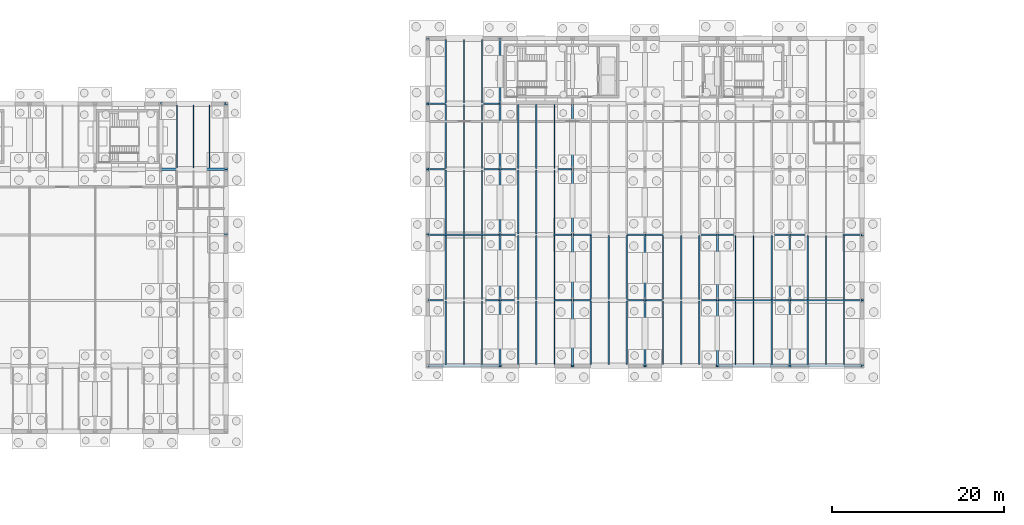
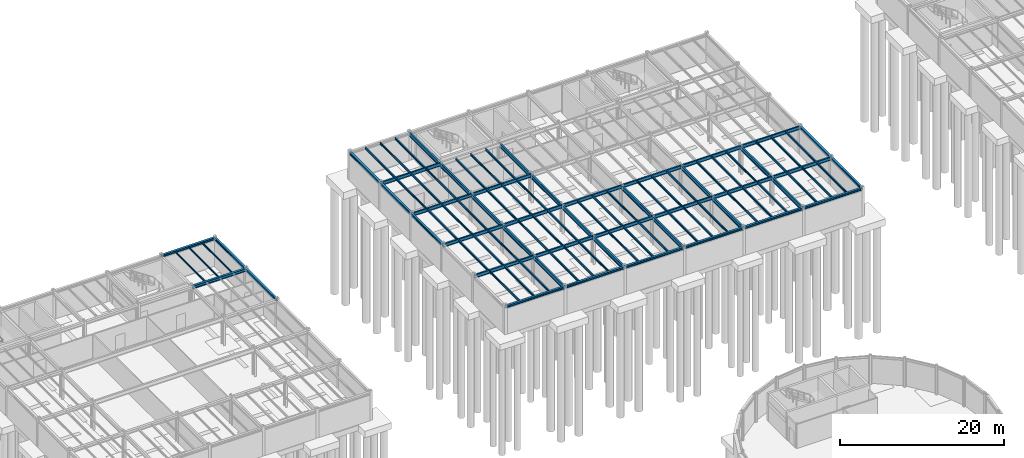
# One storey, part 20 of 33: 99 beams.
"""IFC4 building model written with IfcOpenShell, lengths in metres."""

from ifc_helpers import new_model, si_unit, direction, frame, origin, origin_2d, place, context, subcontext, project, spatial, i_section, extrude, material, material_profile, profile_set, type_object, element, save


model = new_model("IFC4")

# Units and contexts
model_context = context("Model", 3, precision=1e-05, world=origin(), true_north=direction((0.0, 1.0)))
body_context = subcontext(model_context, "Body", "Model", "MODEL_VIEW")
ifc_project = project(units=[si_unit("LENGTHUNIT", "METRE"), si_unit("AREAUNIT", "SQUARE_METRE"), si_unit("VOLUMEUNIT", "CUBIC_METRE"), si_unit("PLANEANGLEUNIT", "RADIAN"), si_unit("MASSUNIT", "GRAM", prefix="KILO")], contexts=[model_context])

# Site, building, storey
site_placement = place(None, origin())
site = spatial("IfcSite", under=ifc_project, at=site_placement, CompositionType="ELEMENT")
building_placement = place(site_placement, origin())
building = spatial("IfcBuilding", under=site, at=building_placement, Name="Montecoro Central Library", CompositionType="ELEMENT")
storey_placement = place(building_placement, frame((0.0, 0.0, -4.419921875)))
storey = spatial("IfcBuildingStorey", under=building, at=storey_placement, Name="B1", CompositionType="ELEMENT", Elevation=-4.419921875)

# Beams
ifc_material_1 = material(Name="Steel S355J2", Category="steel")
ifc_material_profile_1 = material_profile(ifc_material_1, i_section(OverallWidth=0.300048828125, OverallDepth=0.43994140625, WebThickness=0.011474609375, FlangeThickness=0.02099609375, at=origin_2d()), Name="HEA 450")
ifc_profile_set_1 = profile_set([ifc_material_profile_1], Name="Steel S355J2")
beam_type_1 = type_object("IfcBeamType", Name="BM-G-HEA450", PredefinedType="USERDEFINED", material=ifc_profile_set_1)
beam_1_placement = place(storey_placement, frame((35.405029296875, 103.800048828125, 3.94482421875), z_axis=(1.0, 0.0, 0.0), x_axis=(0.0, 1.0, 0.0)))
element("IfcBeam", 1, at=beam_1_placement, inside=storey, type_object=beam_type_1, Name="V4-B1-BX-56-P", ObjectType="GIRDER", PredefinedType="USERDEFINED", context=body_context, shape_type="SweptSolid", body=[
    extrude(i_section(OverallWidth=0.300048828125, OverallDepth=0.43994140625, WebThickness=0.011474609375, FlangeThickness=0.02099609375, at=origin_2d()), origin(), (0.0, 0.0, 1.0), 7.590087890625),
])
ifc_material_2 = material(Name="Steel S355", Category="steel")
ifc_material_profile_2 = material_profile(ifc_material_2, i_section(OverallWidth=0.199951171875, OverallDepth=0.5, WebThickness=0.01025390625, FlangeThickness=0.01611328125, at=origin_2d()), Name="IPE 500")
ifc_profile_set_2 = profile_set([ifc_material_profile_2], Name="Steel S355")
beam_type_2 = type_object("IfcBeamType", Name="BM-G-IPE500", PredefinedType="USERDEFINED", material=ifc_profile_set_2)
beam_2_placement = place(storey_placement, frame((66.405029296875, 88.60009765625, 3.9150390625), z_axis=(1.0, 0.0, 0.0), x_axis=(0.0, 1.0, 0.0)))
element("IfcBeam", 2, at=beam_2_placement, inside=storey, type_object=beam_type_2, Name="V2-B1-BX-910-M", ObjectType="GIRDER", PredefinedType="USERDEFINED", context=body_context, shape_type="SweptSolid", body=[
    extrude(i_section(OverallWidth=0.199951171875, OverallDepth=0.5, WebThickness=0.01025390625, FlangeThickness=0.01611328125, at=origin_2d()), origin(), (0.0, 0.0, 1.0), 8.389892578125),
])
beam_3_placement = place(storey_placement, frame((74.804931640625, 88.60009765625, 3.9150390625), z_axis=(1.0, 0.0, 0.0), x_axis=(0.0, 1.0, 0.0)))
element("IfcBeam", 3, at=beam_3_placement, inside=storey, type_object=beam_type_2, Name="V2-B1-BX-1011-M", ObjectType="GIRDER", PredefinedType="USERDEFINED", context=body_context, shape_type="SweptSolid", body=[
    extrude(i_section(OverallWidth=0.199951171875, OverallDepth=0.5, WebThickness=0.01025390625, FlangeThickness=0.01611328125, at=origin_2d()), origin(), (0.0, 0.0, 1.0), 8.39013671875),
])
beam_4_placement = place(storey_placement, frame((83.205078125, 88.60009765625, 3.9150390625), z_axis=(1.0, 0.0, 0.0), x_axis=(0.0, 1.0, 0.0)))
element("IfcBeam", 4, at=beam_4_placement, inside=storey, type_object=beam_type_2, Name="V2-B1-BX-1112-M", ObjectType="GIRDER", PredefinedType="USERDEFINED", context=body_context, shape_type="SweptSolid", body=[
    extrude(i_section(OverallWidth=0.199951171875, OverallDepth=0.5, WebThickness=0.01025390625, FlangeThickness=0.01611328125, at=origin_2d()), origin(), (0.0, 0.0, 1.0), 8.389892578125),
])
for number, where, z_axis, x_axis, name in (
    (5, (91.60498046875, 88.60009765625, 3.9150390625), (1.0, 0.0, 0.0), (0.0, 1.0, 0.0), "V2-B1-BX-1213-M"),
    (6, (100.0048828125, 88.60009765625, 3.9150390625), (1.0, 0.0, 0.0), (0.0, 1.0, 0.0), "V2-B1-BX-1314-M"),
):
    element("IfcBeam", number, at=place(storey_placement, frame(where, z_axis=z_axis, x_axis=x_axis)), inside=storey, type_object=beam_type_2, Name=name, ObjectType="GIRDER", PredefinedType="USERDEFINED", context=body_context, shape_type="SweptSolid", body=[
        extrude(i_section(OverallWidth=0.199951171875, OverallDepth=0.5, WebThickness=0.01025390625, FlangeThickness=0.01611328125, at=origin_2d()), origin(), (0.0, 0.0, 1.0), 8.39013671875),
    ])
for number, where, z_axis, x_axis, name in (
    (7, (108.405029296875, 88.60009765625, 3.9150390625), (1.0, 0.0, 0.0), (0.0, 1.0, 0.0), "V2-B1-BX-1415-M"),
    (8, (66.405029296875, 96.199951171875, 3.9150390625), (1.0, 0.0, 0.0), (0.0, 1.0, 0.0), "V2-B1-BX-910-N"),
):
    element("IfcBeam", number, at=place(storey_placement, frame(where, z_axis=z_axis, x_axis=x_axis)), inside=storey, type_object=beam_type_2, Name=name, ObjectType="GIRDER", PredefinedType="USERDEFINED", context=body_context, shape_type="SweptSolid", body=[
        extrude(i_section(OverallWidth=0.199951171875, OverallDepth=0.5, WebThickness=0.01025390625, FlangeThickness=0.01611328125, at=origin_2d()), origin(), (0.0, 0.0, 1.0), 8.389892578125),
    ])
beam_5_placement = place(storey_placement, frame((74.804931640625, 96.199951171875, 3.9150390625), z_axis=(1.0, 0.0, 0.0), x_axis=(0.0, 1.0, 0.0)))
element("IfcBeam", 9, at=beam_5_placement, inside=storey, type_object=beam_type_2, Name="V2-B1-BX-1011-N", ObjectType="GIRDER", PredefinedType="USERDEFINED", context=body_context, shape_type="SweptSolid", body=[
    extrude(i_section(OverallWidth=0.199951171875, OverallDepth=0.5, WebThickness=0.01025390625, FlangeThickness=0.01611328125, at=origin_2d()), origin(), (0.0, 0.0, 1.0), 8.39013671875),
])
beam_6_placement = place(storey_placement, frame((83.205078125, 96.199951171875, 3.9150390625), z_axis=(1.0, 0.0, 0.0), x_axis=(0.0, 1.0, 0.0)))
element("IfcBeam", 10, at=beam_6_placement, inside=storey, type_object=beam_type_2, Name="V2-B1-BX-1112-N", ObjectType="GIRDER", PredefinedType="USERDEFINED", context=body_context, shape_type="SweptSolid", body=[
    extrude(i_section(OverallWidth=0.199951171875, OverallDepth=0.5, WebThickness=0.01025390625, FlangeThickness=0.01611328125, at=origin_2d()), origin(), (0.0, 0.0, 1.0), 8.389892578125),
])
for number, where, z_axis, x_axis, name in (
    (11, (91.60498046875, 96.199951171875, 3.9150390625), (1.0, 0.0, 0.0), (0.0, 1.0, 0.0), "V2-B1-BX-1213-N"),
    (12, (100.0048828125, 96.199951171875, 3.9150390625), (1.0, 0.0, 0.0), (0.0, 1.0, 0.0), "V2-B1-BX-1314-N"),
):
    element("IfcBeam", number, at=place(storey_placement, frame(where, z_axis=z_axis, x_axis=x_axis)), inside=storey, type_object=beam_type_2, Name=name, ObjectType="GIRDER", PredefinedType="USERDEFINED", context=body_context, shape_type="SweptSolid", body=[
        extrude(i_section(OverallWidth=0.199951171875, OverallDepth=0.5, WebThickness=0.01025390625, FlangeThickness=0.01611328125, at=origin_2d()), origin(), (0.0, 0.0, 1.0), 8.39013671875),
    ])
for number, where, z_axis, x_axis, name in (
    (13, (108.405029296875, 96.199951171875, 3.9150390625), (1.0, 0.0, 0.0), (0.0, 1.0, 0.0), "V2-B1-BX-1415-N"),
    (14, (66.405029296875, 103.800048828125, 3.9150390625), (1.0, 0.0, 0.0), (0.0, 1.0, 0.0), "V2-B1-BX-910-P"),
):
    element("IfcBeam", number, at=place(storey_placement, frame(where, z_axis=z_axis, x_axis=x_axis)), inside=storey, type_object=beam_type_2, Name=name, ObjectType="GIRDER", PredefinedType="USERDEFINED", context=body_context, shape_type="SweptSolid", body=[
        extrude(i_section(OverallWidth=0.199951171875, OverallDepth=0.5, WebThickness=0.01025390625, FlangeThickness=0.01611328125, at=origin_2d()), origin(), (0.0, 0.0, 1.0), 8.389892578125),
    ])
beam_7_placement = place(storey_placement, frame((74.804931640625, 103.800048828125, 3.9150390625), z_axis=(1.0, 0.0, 0.0), x_axis=(0.0, 1.0, 0.0)))
element("IfcBeam", 15, at=beam_7_placement, inside=storey, type_object=beam_type_2, Name="V2-B1-BX-1011-P", ObjectType="GIRDER", PredefinedType="USERDEFINED", context=body_context, shape_type="SweptSolid", body=[
    extrude(i_section(OverallWidth=0.199951171875, OverallDepth=0.5, WebThickness=0.01025390625, FlangeThickness=0.01611328125, at=origin_2d()), origin(), (0.0, 0.0, 1.0), 8.39013671875),
])
beam_8_placement = place(storey_placement, frame((66.405029296875, 111.39990234375, 3.9150390625), z_axis=(1.0, 0.0, 0.0), x_axis=(0.0, 1.0, 0.0)))
element("IfcBeam", 16, at=beam_8_placement, inside=storey, type_object=beam_type_2, Name="V2-B1-BX-910-Q", ObjectType="GIRDER", PredefinedType="USERDEFINED", context=body_context, shape_type="SweptSolid", body=[
    extrude(i_section(OverallWidth=0.199951171875, OverallDepth=0.5, WebThickness=0.01025390625, FlangeThickness=0.01611328125, at=origin_2d()), origin(), (0.0, 0.0, 1.0), 8.389892578125),
])
ifc_material_profile_3 = material_profile(ifc_material_1, i_section(OverallWidth=0.219970703125, OverallDepth=0.60009765625, WebThickness=0.011962890625, FlangeThickness=0.01904296875, at=origin_2d()), Name="IPE 600")
ifc_profile_set_3 = profile_set([ifc_material_profile_3], Name="Steel S355J2")
beam_type_3 = type_object("IfcBeamType", Name="BM-G-IPE600", PredefinedType="USERDEFINED", material=ifc_profile_set_3)
for number, where, z_axis, x_axis, name in (
    (17, (74.800048828125, 81.0048828125, 3.864990234375), (0.0, 1.0, 0.0), (-1.0, 0.0, 0.0), "V2-B1-BY-10-LM"),
    (18, (74.800048828125, 88.60498046875, 3.864990234375), (0.0, 1.0, 0.0), (-1.0, 0.0, 0.0), "V2-B1-BY-10-MN"),
):
    element("IfcBeam", number, at=place(storey_placement, frame(where, z_axis=z_axis, x_axis=x_axis)), inside=storey, type_object=beam_type_3, Name=name, ObjectType="GIRDER", PredefinedType="USERDEFINED", context=body_context, shape_type="SweptSolid", body=[
        extrude(i_section(OverallWidth=0.219970703125, OverallDepth=0.60009765625, WebThickness=0.011962890625, FlangeThickness=0.01904296875, at=origin_2d()), origin(), (0.0, 0.0, 1.0), 7.590087890625),
    ])
beam_9_placement = place(storey_placement, frame((74.800048828125, 96.205078125, 3.864990234375), z_axis=(0.0, 1.0, 0.0), x_axis=(-1.0, 0.0, 0.0)))
element("IfcBeam", 19, at=beam_9_placement, inside=storey, type_object=beam_type_3, Name="V2-B1-BY-10-NP", ObjectType="GIRDER", PredefinedType="USERDEFINED", context=body_context, shape_type="SweptSolid", body=[
    extrude(i_section(OverallWidth=0.219970703125, OverallDepth=0.60009765625, WebThickness=0.011962890625, FlangeThickness=0.01904296875, at=origin_2d()), origin(), (0.0, 0.0, 1.0), 7.58984375),
])
for number, where, z_axis, x_axis, name in (
    (20, (74.800048828125, 103.804931640625, 3.864990234375), (0.0, 1.0, 0.0), (-1.0, 0.0, 0.0), "V2-B1-BY-10-PQ"),
    (21, (74.800048828125, 111.405029296875, 3.864990234375), (0.0, 1.0, 0.0), (-1.0, 0.0, 0.0), "V2-B1-BY-10-QR"),
    (22, (83.199951171875, 81.0048828125, 3.864990234375), (0.0, 1.0, 0.0), (-1.0, 0.0, 0.0), "V2-B1-BY-11-LM"),
    (23, (83.199951171875, 88.60498046875, 3.864990234375), (0.0, 1.0, 0.0), (-1.0, 0.0, 0.0), "V2-B1-BY-11-MN"),
):
    element("IfcBeam", number, at=place(storey_placement, frame(where, z_axis=z_axis, x_axis=x_axis)), inside=storey, type_object=beam_type_3, Name=name, ObjectType="GIRDER", PredefinedType="USERDEFINED", context=body_context, shape_type="SweptSolid", body=[
        extrude(i_section(OverallWidth=0.219970703125, OverallDepth=0.60009765625, WebThickness=0.011962890625, FlangeThickness=0.01904296875, at=origin_2d()), origin(), (0.0, 0.0, 1.0), 7.590087890625),
    ])
beam_10_placement = place(storey_placement, frame((83.199951171875, 96.205078125, 3.864990234375), z_axis=(0.0, 1.0, 0.0), x_axis=(-1.0, 0.0, 0.0)))
element("IfcBeam", 24, at=beam_10_placement, inside=storey, type_object=beam_type_3, Name="V2-B1-BY-11-NP", ObjectType="GIRDER", PredefinedType="USERDEFINED", context=body_context, shape_type="SweptSolid", body=[
    extrude(i_section(OverallWidth=0.219970703125, OverallDepth=0.60009765625, WebThickness=0.011962890625, FlangeThickness=0.01904296875, at=origin_2d()), origin(), (0.0, 0.0, 1.0), 7.58984375),
])
for number, where, z_axis, x_axis, name in (
    (25, (83.199951171875, 103.804931640625, 3.864990234375), (0.0, 1.0, 0.0), (-1.0, 0.0, 0.0), "V2-B1-BY-11-PQ"),
    (26, (91.60009765625, 81.0048828125, 3.864990234375), (0.0, 1.0, 0.0), (-1.0, 0.0, 0.0), "V2-B1-BY-12-LM"),
    (27, (91.60009765625, 88.60498046875, 3.864990234375), (0.0, 1.0, 0.0), (-1.0, 0.0, 0.0), "V2-B1-BY-12-MN"),
    (28, (100.0, 81.0048828125, 3.864990234375), (0.0, 1.0, 0.0), (-1.0, 0.0, 0.0), "V2-B1-BY-13-LM"),
    (29, (100.0, 88.60498046875, 3.864990234375), (0.0, 1.0, 0.0), (-1.0, 0.0, 0.0), "V2-B1-BY-13-MN"),
    (30, (108.39990234375, 81.0048828125, 3.864990234375), (0.0, 1.0, 0.0), (-1.0, 0.0, 0.0), "V2-B1-BY-14-LM"),
    (31, (108.39990234375, 88.60498046875, 3.864990234375), (0.0, 1.0, 0.0), (-1.0, 0.0, 0.0), "V2-B1-BY-14-MN"),
):
    element("IfcBeam", number, at=place(storey_placement, frame(where, z_axis=z_axis, x_axis=x_axis)), inside=storey, type_object=beam_type_3, Name=name, ObjectType="GIRDER", PredefinedType="USERDEFINED", context=body_context, shape_type="SweptSolid", body=[
        extrude(i_section(OverallWidth=0.219970703125, OverallDepth=0.60009765625, WebThickness=0.011962890625, FlangeThickness=0.01904296875, at=origin_2d()), origin(), (0.0, 0.0, 1.0), 7.590087890625),
    ])
ifc_material_profile_4 = material_profile(ifc_material_2, i_section(OverallWidth=0.1201171875, OverallDepth=0.239990234375, WebThickness=0.006103515625, FlangeThickness=0.009765625, at=origin_2d()), Name="IPE 240")
ifc_profile_set_4 = profile_set([ifc_material_profile_4], Name="Steel S355")
beam_type_4 = type_object("IfcBeamType", Name="BM-J-IPE240", PredefinedType="JOIST", material=ifc_profile_set_4)
for number, where, z_axis, x_axis, name in (
    (32, (37.300048828125, 103.947021484375, 4.044921875), (0.0, 1.0, 0.0), (-1.0, 0.0, 0.0), "V4-B1-JS-56-PQ-1"),
    (33, (39.199951171875, 103.947021484375, 4.044921875), (0.0, 1.0, 0.0), (-1.0, 0.0, 0.0), "V4-B1-JS-56-PQ-2"),
    (34, (41.10009765625, 103.947021484375, 4.044921875), (0.0, 1.0, 0.0), (-1.0, 0.0, 0.0), "V4-B1-JS-56-PQ-3"),
):
    element("IfcBeam", number, at=place(storey_placement, frame(where, z_axis=z_axis, x_axis=x_axis)), inside=storey, type_object=beam_type_4, Name=name, PredefinedType="JOIST", context=body_context, shape_type="SweptSolid", body=[
        extrude(i_section(OverallWidth=0.1201171875, OverallDepth=0.239990234375, WebThickness=0.006103515625, FlangeThickness=0.009765625, at=origin_2d()), origin(), (0.0, 0.0, 1.0), 7.305908203125),
    ])
ifc_material_profile_5 = material_profile(ifc_material_2, i_section(OverallWidth=0.14990234375, OverallDepth=0.300048828125, WebThickness=0.007080078125, FlangeThickness=0.0107421875, at=origin_2d()), Name="IPE 300")
ifc_profile_set_5 = profile_set([ifc_material_profile_5], Name="Steel S355")
beam_type_5 = type_object("IfcBeamType", Name="BM-J-IPE300", PredefinedType="JOIST", material=ifc_profile_set_5)
for number, where, z_axis, x_axis, name in (
    (35, (68.5, 81.14697265625, 4.014892578125), (0.0, 1.0, 0.0), (-1.0, 0.0, 0.0), "V2-B1-JS-910-LM-1"),
    (36, (70.60009765625, 81.14697265625, 4.014892578125), (0.0, 1.0, 0.0), (-1.0, 0.0, 0.0), "V2-B1-JS-910-LM-2"),
    (37, (72.699951171875, 81.14697265625, 4.014892578125), (0.0, 1.0, 0.0), (-1.0, 0.0, 0.0), "V2-B1-JS-910-LM-3"),
):
    element("IfcBeam", number, at=place(storey_placement, frame(where, z_axis=z_axis, x_axis=x_axis)), inside=storey, type_object=beam_type_5, Name=name, PredefinedType="JOIST", context=body_context, shape_type="SweptSolid", body=[
        extrude(i_section(OverallWidth=0.14990234375, OverallDepth=0.300048828125, WebThickness=0.007080078125, FlangeThickness=0.0107421875, at=origin_2d()), origin(), (0.0, 0.0, 1.0), 7.35595703125),
    ])
for number, where, z_axis, x_axis, name in (
    (38, (68.5, 88.697021484375, 4.014892578125), (0.0, 1.0, 0.0), (-1.0, 0.0, 0.0), "V2-B1-JS-910-MN-1"),
    (39, (70.60009765625, 88.697021484375, 4.014892578125), (0.0, 1.0, 0.0), (-1.0, 0.0, 0.0), "V2-B1-JS-910-MN-2"),
    (40, (72.699951171875, 88.697021484375, 4.014892578125), (0.0, 1.0, 0.0), (-1.0, 0.0, 0.0), "V2-B1-JS-910-MN-3"),
):
    element("IfcBeam", number, at=place(storey_placement, frame(where, z_axis=z_axis, x_axis=x_axis)), inside=storey, type_object=beam_type_5, Name=name, PredefinedType="JOIST", context=body_context, shape_type="SweptSolid", body=[
        extrude(i_section(OverallWidth=0.14990234375, OverallDepth=0.300048828125, WebThickness=0.007080078125, FlangeThickness=0.0107421875, at=origin_2d()), origin(), (0.0, 0.0, 1.0), 7.406005859375),
    ])
for number, where, z_axis, x_axis, name in (
    (41, (68.5, 96.297119140625, 4.014892578125), (0.0, 1.0, 0.0), (-1.0, 0.0, 0.0), "V2-B1-JS-910-NP-1"),
    (42, (70.60009765625, 96.297119140625, 4.014892578125), (0.0, 1.0, 0.0), (-1.0, 0.0, 0.0), "V2-B1-JS-910-NP-2"),
    (43, (72.699951171875, 96.297119140625, 4.014892578125), (0.0, 1.0, 0.0), (-1.0, 0.0, 0.0), "V2-B1-JS-910-NP-3"),
):
    element("IfcBeam", number, at=place(storey_placement, frame(where, z_axis=z_axis, x_axis=x_axis)), inside=storey, type_object=beam_type_5, Name=name, PredefinedType="JOIST", context=body_context, shape_type="SweptSolid", body=[
        extrude(i_section(OverallWidth=0.14990234375, OverallDepth=0.300048828125, WebThickness=0.007080078125, FlangeThickness=0.0107421875, at=origin_2d()), origin(), (0.0, 0.0, 1.0), 7.40576171875),
    ])
for number, where, z_axis, x_axis, name in (
    (44, (68.5, 103.89697265625, 4.014892578125), (0.0, 1.0, 0.0), (-1.0, 0.0, 0.0), "V2-B1-JS-910-PQ-1"),
    (45, (70.60009765625, 103.89697265625, 4.014892578125), (0.0, 1.0, 0.0), (-1.0, 0.0, 0.0), "V2-B1-JS-910-PQ-2"),
    (46, (72.699951171875, 103.89697265625, 4.014892578125), (0.0, 1.0, 0.0), (-1.0, 0.0, 0.0), "V2-B1-JS-910-PQ-3"),
):
    element("IfcBeam", number, at=place(storey_placement, frame(where, z_axis=z_axis, x_axis=x_axis)), inside=storey, type_object=beam_type_5, Name=name, PredefinedType="JOIST", context=body_context, shape_type="SweptSolid", body=[
        extrude(i_section(OverallWidth=0.14990234375, OverallDepth=0.300048828125, WebThickness=0.007080078125, FlangeThickness=0.0107421875, at=origin_2d()), origin(), (0.0, 0.0, 1.0), 7.406005859375),
    ])
for number, where, z_axis, x_axis, name in (
    (47, (68.5, 111.4970703125, 4.014892578125), (0.0, 1.0, 0.0), (-1.0, 0.0, 0.0), "V2-B1-JS-910-QR-1"),
    (48, (70.60009765625, 111.4970703125, 4.014892578125), (0.0, 1.0, 0.0), (-1.0, 0.0, 0.0), "V2-B1-JS-910-QR-2"),
    (49, (72.699951171875, 111.4970703125, 4.014892578125), (0.0, 1.0, 0.0), (-1.0, 0.0, 0.0), "V2-B1-JS-910-QR-3"),
    (50, (76.89990234375, 81.14697265625, 4.014892578125), (0.0, 1.0, 0.0), (-1.0, 0.0, 0.0), "V2-B1-JS-1011-LM-1"),
    (51, (79.0, 81.14697265625, 4.014892578125), (0.0, 1.0, 0.0), (-1.0, 0.0, 0.0), "V2-B1-JS-1011-LM-2"),
    (52, (81.10009765625, 81.14697265625, 4.014892578125), (0.0, 1.0, 0.0), (-1.0, 0.0, 0.0), "V2-B1-JS-1011-LM-3"),
):
    element("IfcBeam", number, at=place(storey_placement, frame(where, z_axis=z_axis, x_axis=x_axis)), inside=storey, type_object=beam_type_5, Name=name, PredefinedType="JOIST", context=body_context, shape_type="SweptSolid", body=[
        extrude(i_section(OverallWidth=0.14990234375, OverallDepth=0.300048828125, WebThickness=0.007080078125, FlangeThickness=0.0107421875, at=origin_2d()), origin(), (0.0, 0.0, 1.0), 7.35595703125),
    ])
for number, where, z_axis, x_axis, name in (
    (53, (76.89990234375, 88.697021484375, 4.014892578125), (0.0, 1.0, 0.0), (-1.0, 0.0, 0.0), "V2-B1-JS-1011-MN-1"),
    (54, (79.0, 88.697021484375, 4.014892578125), (0.0, 1.0, 0.0), (-1.0, 0.0, 0.0), "V2-B1-JS-1011-MN-2"),
    (55, (81.10009765625, 88.697021484375, 4.014892578125), (0.0, 1.0, 0.0), (-1.0, 0.0, 0.0), "V2-B1-JS-1011-MN-3"),
):
    element("IfcBeam", number, at=place(storey_placement, frame(where, z_axis=z_axis, x_axis=x_axis)), inside=storey, type_object=beam_type_5, Name=name, PredefinedType="JOIST", context=body_context, shape_type="SweptSolid", body=[
        extrude(i_section(OverallWidth=0.14990234375, OverallDepth=0.300048828125, WebThickness=0.007080078125, FlangeThickness=0.0107421875, at=origin_2d()), origin(), (0.0, 0.0, 1.0), 7.406005859375),
    ])
for number, where, z_axis, x_axis, name in (
    (56, (76.89990234375, 96.297119140625, 4.014892578125), (0.0, 1.0, 0.0), (-1.0, 0.0, 0.0), "V2-B1-JS-1011-NP-1"),
    (57, (79.0, 96.297119140625, 4.014892578125), (0.0, 1.0, 0.0), (-1.0, 0.0, 0.0), "V2-B1-JS-1011-NP-2"),
    (58, (81.10009765625, 96.297119140625, 4.014892578125), (0.0, 1.0, 0.0), (-1.0, 0.0, 0.0), "V2-B1-JS-1011-NP-3"),
):
    element("IfcBeam", number, at=place(storey_placement, frame(where, z_axis=z_axis, x_axis=x_axis)), inside=storey, type_object=beam_type_5, Name=name, PredefinedType="JOIST", context=body_context, shape_type="SweptSolid", body=[
        extrude(i_section(OverallWidth=0.14990234375, OverallDepth=0.300048828125, WebThickness=0.007080078125, FlangeThickness=0.0107421875, at=origin_2d()), origin(), (0.0, 0.0, 1.0), 7.40576171875),
    ])
for number, where, z_axis, x_axis, name in (
    (59, (76.89990234375, 103.89697265625, 4.014892578125), (0.0, 1.0, 0.0), (-1.0, 0.0, 0.0), "V2-B1-JS-1011-PQ-1"),
    (60, (79.0, 103.89697265625, 4.014892578125), (0.0, 1.0, 0.0), (-1.0, 0.0, 0.0), "V2-B1-JS-1011-PQ-2"),
    (61, (81.10009765625, 103.89697265625, 4.014892578125), (0.0, 1.0, 0.0), (-1.0, 0.0, 0.0), "V2-B1-JS-1011-PQ-3"),
):
    element("IfcBeam", number, at=place(storey_placement, frame(where, z_axis=z_axis, x_axis=x_axis)), inside=storey, type_object=beam_type_5, Name=name, PredefinedType="JOIST", context=body_context, shape_type="SweptSolid", body=[
        extrude(i_section(OverallWidth=0.14990234375, OverallDepth=0.300048828125, WebThickness=0.007080078125, FlangeThickness=0.0107421875, at=origin_2d()), origin(), (0.0, 0.0, 1.0), 7.406005859375),
    ])
for number, where, z_axis, x_axis, name in (
    (62, (85.300048828125, 81.14697265625, 4.014892578125), (0.0, 1.0, 0.0), (-1.0, 0.0, 0.0), "V2-B1-JS-1112-LM-1"),
    (63, (87.39990234375, 81.14697265625, 4.014892578125), (0.0, 1.0, 0.0), (-1.0, 0.0, 0.0), "V2-B1-JS-1112-LM-2"),
    (64, (89.5, 81.14697265625, 4.014892578125), (0.0, 1.0, 0.0), (-1.0, 0.0, 0.0), "V2-B1-JS-1112-LM-3"),
):
    element("IfcBeam", number, at=place(storey_placement, frame(where, z_axis=z_axis, x_axis=x_axis)), inside=storey, type_object=beam_type_5, Name=name, PredefinedType="JOIST", context=body_context, shape_type="SweptSolid", body=[
        extrude(i_section(OverallWidth=0.14990234375, OverallDepth=0.300048828125, WebThickness=0.007080078125, FlangeThickness=0.0107421875, at=origin_2d()), origin(), (0.0, 0.0, 1.0), 7.35595703125),
    ])
for number, where, z_axis, x_axis, name in (
    (65, (85.300048828125, 88.697021484375, 4.014892578125), (0.0, 1.0, 0.0), (-1.0, 0.0, 0.0), "V2-B1-JS-1112-MN-1"),
    (66, (87.39990234375, 88.697021484375, 4.014892578125), (0.0, 1.0, 0.0), (-1.0, 0.0, 0.0), "V2-B1-JS-1112-MN-2"),
    (67, (89.5, 88.697021484375, 4.014892578125), (0.0, 1.0, 0.0), (-1.0, 0.0, 0.0), "V2-B1-JS-1112-MN-3"),
):
    element("IfcBeam", number, at=place(storey_placement, frame(where, z_axis=z_axis, x_axis=x_axis)), inside=storey, type_object=beam_type_5, Name=name, PredefinedType="JOIST", context=body_context, shape_type="SweptSolid", body=[
        extrude(i_section(OverallWidth=0.14990234375, OverallDepth=0.300048828125, WebThickness=0.007080078125, FlangeThickness=0.0107421875, at=origin_2d()), origin(), (0.0, 0.0, 1.0), 7.406005859375),
    ])
for number, where, z_axis, x_axis, name in (
    (68, (93.699951171875, 81.14697265625, 4.014892578125), (0.0, 1.0, 0.0), (-1.0, 0.0, 0.0), "V2-B1-JS-1213-LM-1"),
    (69, (95.800048828125, 81.14697265625, 4.014892578125), (0.0, 1.0, 0.0), (-1.0, 0.0, 0.0), "V2-B1-JS-1213-LM-2"),
    (70, (97.89990234375, 81.14697265625, 4.014892578125), (0.0, 1.0, 0.0), (-1.0, 0.0, 0.0), "V2-B1-JS-1213-LM-3"),
):
    element("IfcBeam", number, at=place(storey_placement, frame(where, z_axis=z_axis, x_axis=x_axis)), inside=storey, type_object=beam_type_5, Name=name, PredefinedType="JOIST", context=body_context, shape_type="SweptSolid", body=[
        extrude(i_section(OverallWidth=0.14990234375, OverallDepth=0.300048828125, WebThickness=0.007080078125, FlangeThickness=0.0107421875, at=origin_2d()), origin(), (0.0, 0.0, 1.0), 7.35595703125),
    ])
for number, where, z_axis, x_axis, name in (
    (71, (93.699951171875, 88.697021484375, 4.014892578125), (0.0, 1.0, 0.0), (-1.0, 0.0, 0.0), "V2-B1-JS-1213-MN-1"),
    (72, (95.800048828125, 88.697021484375, 4.014892578125), (0.0, 1.0, 0.0), (-1.0, 0.0, 0.0), "V2-B1-JS-1213-MN-2"),
    (73, (97.89990234375, 88.697021484375, 4.014892578125), (0.0, 1.0, 0.0), (-1.0, 0.0, 0.0), "V2-B1-JS-1213-MN-3"),
):
    element("IfcBeam", number, at=place(storey_placement, frame(where, z_axis=z_axis, x_axis=x_axis)), inside=storey, type_object=beam_type_5, Name=name, PredefinedType="JOIST", context=body_context, shape_type="SweptSolid", body=[
        extrude(i_section(OverallWidth=0.14990234375, OverallDepth=0.300048828125, WebThickness=0.007080078125, FlangeThickness=0.0107421875, at=origin_2d()), origin(), (0.0, 0.0, 1.0), 7.406005859375),
    ])
for number, where, z_axis, x_axis, name in (
    (74, (102.10009765625, 81.14697265625, 4.014892578125), (0.0, 1.0, 0.0), (-1.0, 0.0, 0.0), "V2-B1-JS-1314-LM-1"),
    (75, (104.199951171875, 81.14697265625, 4.014892578125), (0.0, 1.0, 0.0), (-1.0, 0.0, 0.0), "V2-B1-JS-1314-LM-2"),
    (76, (106.300048828125, 81.14697265625, 4.014892578125), (0.0, 1.0, 0.0), (-1.0, 0.0, 0.0), "V2-B1-JS-1314-LM-3"),
):
    element("IfcBeam", number, at=place(storey_placement, frame(where, z_axis=z_axis, x_axis=x_axis)), inside=storey, type_object=beam_type_5, Name=name, PredefinedType="JOIST", context=body_context, shape_type="SweptSolid", body=[
        extrude(i_section(OverallWidth=0.14990234375, OverallDepth=0.300048828125, WebThickness=0.007080078125, FlangeThickness=0.0107421875, at=origin_2d()), origin(), (0.0, 0.0, 1.0), 7.35595703125),
    ])
for number, where, z_axis, x_axis, name in (
    (77, (102.10009765625, 88.697021484375, 4.014892578125), (0.0, 1.0, 0.0), (-1.0, 0.0, 0.0), "V2-B1-JS-1314-MN-1"),
    (78, (104.199951171875, 88.697021484375, 4.014892578125), (0.0, 1.0, 0.0), (-1.0, 0.0, 0.0), "V2-B1-JS-1314-MN-2"),
    (79, (106.300048828125, 88.697021484375, 4.014892578125), (0.0, 1.0, 0.0), (-1.0, 0.0, 0.0), "V2-B1-JS-1314-MN-3"),
):
    element("IfcBeam", number, at=place(storey_placement, frame(where, z_axis=z_axis, x_axis=x_axis)), inside=storey, type_object=beam_type_5, Name=name, PredefinedType="JOIST", context=body_context, shape_type="SweptSolid", body=[
        extrude(i_section(OverallWidth=0.14990234375, OverallDepth=0.300048828125, WebThickness=0.007080078125, FlangeThickness=0.0107421875, at=origin_2d()), origin(), (0.0, 0.0, 1.0), 7.406005859375),
    ])
for number, where, z_axis, x_axis, name in (
    (80, (110.5, 81.14697265625, 4.014892578125), (0.0, 1.0, 0.0), (-1.0, 0.0, 0.0), "V2-B1-JS-1415-LM-1"),
    (81, (112.60009765625, 81.14697265625, 4.014892578125), (0.0, 1.0, 0.0), (-1.0, 0.0, 0.0), "V2-B1-JS-1415-LM-2"),
    (82, (114.699951171875, 81.14697265625, 4.014892578125), (0.0, 1.0, 0.0), (-1.0, 0.0, 0.0), "V2-B1-JS-1415-LM-3"),
):
    element("IfcBeam", number, at=place(storey_placement, frame(where, z_axis=z_axis, x_axis=x_axis)), inside=storey, type_object=beam_type_5, Name=name, PredefinedType="JOIST", context=body_context, shape_type="SweptSolid", body=[
        extrude(i_section(OverallWidth=0.14990234375, OverallDepth=0.300048828125, WebThickness=0.007080078125, FlangeThickness=0.0107421875, at=origin_2d()), origin(), (0.0, 0.0, 1.0), 7.35595703125),
    ])
for number, where, z_axis, x_axis, name in (
    (83, (110.5, 88.697021484375, 4.014892578125), (0.0, 1.0, 0.0), (-1.0, 0.0, 0.0), "V2-B1-JS-1415-MN-1"),
    (84, (112.60009765625, 88.697021484375, 4.014892578125), (0.0, 1.0, 0.0), (-1.0, 0.0, 0.0), "V2-B1-JS-1415-MN-2"),
    (85, (114.699951171875, 88.697021484375, 4.014892578125), (0.0, 1.0, 0.0), (-1.0, 0.0, 0.0), "V2-B1-JS-1415-MN-3"),
):
    element("IfcBeam", number, at=place(storey_placement, frame(where, z_axis=z_axis, x_axis=x_axis)), inside=storey, type_object=beam_type_5, Name=name, PredefinedType="JOIST", context=body_context, shape_type="SweptSolid", body=[
        extrude(i_section(OverallWidth=0.14990234375, OverallDepth=0.300048828125, WebThickness=0.007080078125, FlangeThickness=0.0107421875, at=origin_2d()), origin(), (0.0, 0.0, 1.0), 7.406005859375),
    ])
ifc_material_profile_6 = material_profile(ifc_material_2, i_section(OverallWidth=0.300048828125, OverallDepth=0.330078125, WebThickness=0.009521484375, FlangeThickness=0.0166015625, at=origin_2d()), Name="HEA 340")
ifc_profile_set_6 = profile_set([ifc_material_profile_6], Name="Steel S355")
beam_type_6 = type_object("IfcBeamType", Name="BM-SP-HEA340", PredefinedType="SPANDREL", material=ifc_profile_set_6)
beam_11_placement = place(storey_placement, frame((66.405029296875, 81.0, 4.0), z_axis=(1.0, 0.0, 0.0), x_axis=(0.0, 1.0, 0.0)))
element("IfcBeam", 86, at=beam_11_placement, inside=storey, type_object=beam_type_6, Name="V2-B1-BX-910-L", PredefinedType="SPANDREL", context=body_context, shape_type="SweptSolid", body=[
    extrude(i_section(OverallWidth=0.300048828125, OverallDepth=0.330078125, WebThickness=0.009521484375, FlangeThickness=0.0166015625, at=origin_2d()), origin(), (0.0, 0.0, 1.0), 8.389892578125),
])
beam_12_placement = place(storey_placement, frame((74.804931640625, 81.0, 4.0), z_axis=(1.0, 0.0, 0.0), x_axis=(0.0, 1.0, 0.0)))
element("IfcBeam", 87, at=beam_12_placement, inside=storey, type_object=beam_type_6, Name="V2-B1-BX-1011-L", PredefinedType="SPANDREL", context=body_context, shape_type="SweptSolid", body=[
    extrude(i_section(OverallWidth=0.300048828125, OverallDepth=0.330078125, WebThickness=0.009521484375, FlangeThickness=0.0166015625, at=origin_2d()), origin(), (0.0, 0.0, 1.0), 8.39013671875),
])
beam_13_placement = place(storey_placement, frame((83.205078125, 81.0, 4.0), z_axis=(1.0, 0.0, 0.0), x_axis=(0.0, 1.0, 0.0)))
element("IfcBeam", 88, at=beam_13_placement, inside=storey, type_object=beam_type_6, Name="V2-B1-BX-1112-L", PredefinedType="SPANDREL", context=body_context, shape_type="SweptSolid", body=[
    extrude(i_section(OverallWidth=0.300048828125, OverallDepth=0.330078125, WebThickness=0.009521484375, FlangeThickness=0.0166015625, at=origin_2d()), origin(), (0.0, 0.0, 1.0), 8.389892578125),
])
for number, where, z_axis, x_axis, name in (
    (89, (91.60498046875, 81.0, 4.0), (1.0, 0.0, 0.0), (0.0, 1.0, 0.0), "V2-B1-BX-1213-L"),
    (90, (100.0048828125, 81.0, 4.0), (1.0, 0.0, 0.0), (0.0, 1.0, 0.0), "V2-B1-BX-1314-L"),
):
    element("IfcBeam", number, at=place(storey_placement, frame(where, z_axis=z_axis, x_axis=x_axis)), inside=storey, type_object=beam_type_6, Name=name, PredefinedType="SPANDREL", context=body_context, shape_type="SweptSolid", body=[
        extrude(i_section(OverallWidth=0.300048828125, OverallDepth=0.330078125, WebThickness=0.009521484375, FlangeThickness=0.0166015625, at=origin_2d()), origin(), (0.0, 0.0, 1.0), 8.39013671875),
    ])
beam_14_placement = place(storey_placement, frame((108.405029296875, 81.0, 4.0), z_axis=(1.0, 0.0, 0.0), x_axis=(0.0, 1.0, 0.0)))
element("IfcBeam", 91, at=beam_14_placement, inside=storey, type_object=beam_type_6, Name="V2-B1-BX-1415-L", PredefinedType="SPANDREL", context=body_context, shape_type="SweptSolid", body=[
    extrude(i_section(OverallWidth=0.300048828125, OverallDepth=0.330078125, WebThickness=0.009521484375, FlangeThickness=0.0166015625, at=origin_2d()), origin(), (0.0, 0.0, 1.0), 8.389892578125),
])
beam_15_placement = place(storey_placement, frame((66.39990234375, 96.205078125, 4.0), z_axis=(0.0, 1.0, 0.0), x_axis=(-1.0, 0.0, 0.0)))
element("IfcBeam", 92, at=beam_15_placement, inside=storey, type_object=beam_type_6, Name="V2-B1-BY-9-NP", PredefinedType="SPANDREL", context=body_context, shape_type="SweptSolid", body=[
    extrude(i_section(OverallWidth=0.300048828125, OverallDepth=0.330078125, WebThickness=0.009521484375, FlangeThickness=0.0166015625, at=origin_2d()), origin(), (0.0, 0.0, 1.0), 7.58984375),
])
for number, where, z_axis, x_axis, name in (
    (93, (66.39990234375, 103.804931640625, 4.0), (0.0, 1.0, 0.0), (-1.0, 0.0, 0.0), "V2-B1-BY-9-PQ"),
    (94, (66.39990234375, 111.405029296875, 4.0), (0.0, 1.0, 0.0), (-1.0, 0.0, 0.0), "V2-B1-BY-9-QR"),
    (95, (116.800048828125, 81.0048828125, 4.0), (0.0, 1.0, 0.0), (-1.0, 0.0, 0.0), "V2-B1-BY-15-LM"),
    (96, (116.800048828125, 88.60498046875, 4.0), (0.0, 1.0, 0.0), (-1.0, 0.0, 0.0), "V2-B1-BY-15-MN"),
    (97, (35.405029296875, 111.39990234375, 4.0), (1.0, 0.0, 0.0), (0.0, 1.0, 0.0), "V4-B1-BX-56-Q"),
):
    element("IfcBeam", number, at=place(storey_placement, frame(where, z_axis=z_axis, x_axis=x_axis)), inside=storey, type_object=beam_type_6, Name=name, PredefinedType="SPANDREL", context=body_context, shape_type="SweptSolid", body=[
        extrude(i_section(OverallWidth=0.300048828125, OverallDepth=0.330078125, WebThickness=0.009521484375, FlangeThickness=0.0166015625, at=origin_2d()), origin(), (0.0, 0.0, 1.0), 7.590087890625),
    ])
beam_16_placement = place(storey_placement, frame((43.0, 96.205078125, 4.0), z_axis=(0.0, 1.0, 0.0), x_axis=(-1.0, 0.0, 0.0)))
element("IfcBeam", 98, at=beam_16_placement, inside=storey, type_object=beam_type_6, Name="V4-B1-BY-6-NP", PredefinedType="SPANDREL", context=body_context, shape_type="SweptSolid", body=[
    extrude(i_section(OverallWidth=0.300048828125, OverallDepth=0.330078125, WebThickness=0.009521484375, FlangeThickness=0.0166015625, at=origin_2d()), origin(), (0.0, 0.0, 1.0), 7.58984375),
])
beam_17_placement = place(storey_placement, frame((43.0, 103.804931640625, 4.0), z_axis=(0.0, 1.0, 0.0), x_axis=(-1.0, 0.0, 0.0)))
element("IfcBeam", 99, at=beam_17_placement, inside=storey, type_object=beam_type_6, Name="V4-B1-BY-6-PQ", PredefinedType="SPANDREL", context=body_context, shape_type="SweptSolid", body=[
    extrude(i_section(OverallWidth=0.300048828125, OverallDepth=0.330078125, WebThickness=0.009521484375, FlangeThickness=0.0166015625, at=origin_2d()), origin(), (0.0, 0.0, 1.0), 7.590087890625),
])

save(model, "model.ifc")
